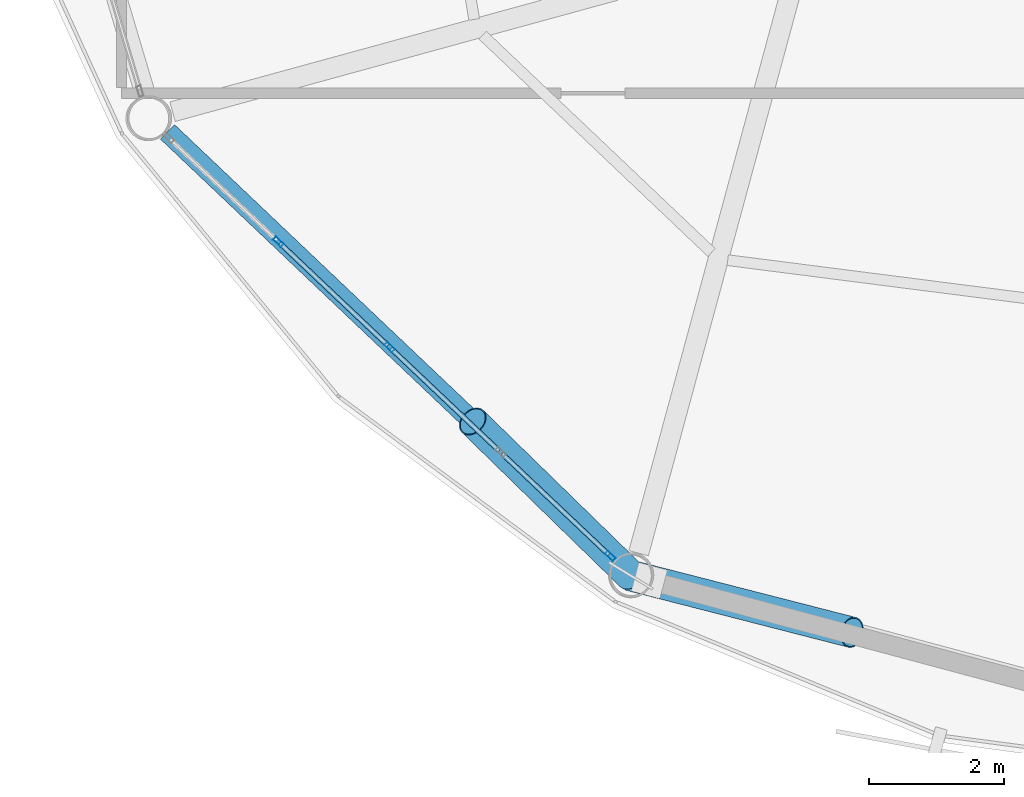
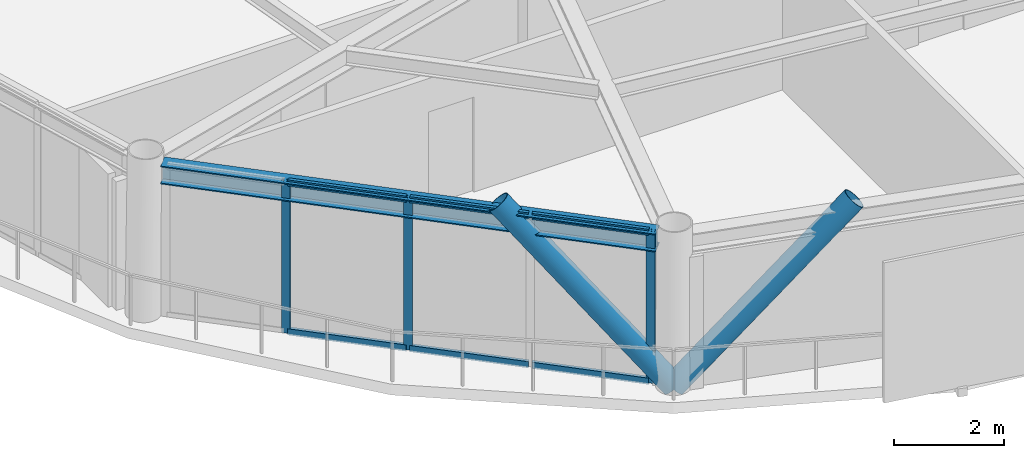
# One storey, part 2 of 29: 11 members, 1 beam, 1 element without a shape of its own.
"""IFC4 building model written with IfcOpenShell, lengths in metres."""

from ifc_helpers import new_model, si_unit, direction, frame, origin, origin_2d, place, context, subcontext, project, spatial, hollow_rectangle, hollow_circle, i_section, extrude, material, layer, layer_set, material_profile, profile_set, type_object, element, aggregate, save


model = new_model("IFC4")

# Units and contexts
model_context = context("Model", 3, precision=1e-05, world=origin(), true_north=direction((0.0, 1.0)))
body_context = subcontext(model_context, "Body", "Model", "MODEL_VIEW")
ifc_project = project(units=[si_unit("LENGTHUNIT", "METRE"), si_unit("AREAUNIT", "SQUARE_METRE"), si_unit("VOLUMEUNIT", "CUBIC_METRE"), si_unit("PLANEANGLEUNIT", "RADIAN"), si_unit("MASSUNIT", "GRAM", prefix="KILO")], contexts=[model_context])

# Site, building, storey
site_placement = place(None, origin())
site = spatial("IfcSite", under=ifc_project, at=site_placement, CompositionType="ELEMENT")
building_placement = place(site_placement, origin())
building = spatial("IfcBuilding", under=site, at=building_placement, Name="Varnakorn Sky Granary", CompositionType="ELEMENT")
storey_placement = place(building_placement, frame((0.0, 0.0, 182.39990234375)))
storey = spatial("IfcBuildingStorey", under=building, at=storey_placement, Name="L45", CompositionType="ELEMENT", Elevation=182.39990234375)

# Beam
ifc_material_1 = material(Name="Steel S355JR", Category="steel")
ifc_material_profile_1 = material_profile(ifc_material_1, i_section(OverallWidth=0.300048828125, OverallDepth=0.39990234375, WebThickness=0.013427734375, FlangeThickness=0.02392578125, at=origin_2d()), Name="HE 400 B")
ifc_profile_set_1 = profile_set([ifc_material_profile_1], Name="Steel S355JR")
beam_type = type_object("IfcBeamType", Name="BM-SPD-Z4", PredefinedType="SPANDREL", material=ifc_profile_set_1)
beam_placement = place(storey_placement, frame((-11.8193359375, -9.473388671875, 3.16015625), z_axis=(0.725435205261, -0.688290464098, 0.0), x_axis=(0.688290464098, 0.725435205261, 0.0)))
element("IfcBeam", 1, at=beam_placement, inside=storey, type_object=beam_type, Name="Perimeter Spandrel Ring Beam RB08 L45", PredefinedType="SPANDREL", context=body_context, shape_type="SweptSolid", body=[
    extrude(i_section(OverallWidth=0.300048828125, OverallDepth=0.39990234375, WebThickness=0.013427734375, FlangeThickness=0.02392578125, at=origin_2d()), origin(), (0.0, 0.0, 1.0), 9.21484375),
])

# Curtain wall, members
ifc_material_2 = material(Name="Anodised Bronze Aluminium Alloy 6063-T6", Category="aluminium")
ifc_layer = layer(ifc_material_2, 0.169921875, Name="Anodised Bronze Aluminium Alloy 6063-T6")
ifc_layer_set = layer_set([ifc_layer], Name="Anodised Bronze Aluminium Alloy 6063-T6")
curtain_wall_type = type_object("IfcCurtainWallType", Name="CW-LAB-1", PredefinedType="USERDEFINED", material=ifc_layer_set)
curtain_wall_placement = place(storey_placement, origin())
curtain_wall = element("IfcCurtainWall", 2, at=curtain_wall_placement, inside=storey, type_object=curtain_wall_type, Name="Unitised Curtain Wall CW5 CW-L45-B08", ObjectType="CURTAIN WALL", PredefinedType="USERDEFINED")
ifc_material_profile_2 = material_profile(ifc_material_2, hollow_rectangle(XDim=0.06494140625, YDim=0.159912109375, WallThickness=0.00341796875, at=origin_2d()), Name="ALU MULL 65x160")
ifc_profile_set_2 = profile_set([ifc_material_profile_2], Name="Anodised Bronze Aluminium Alloy 6063-T6")
member_type_1 = type_object("IfcMemberType", Name="CW-LAB-1-MULL", PredefinedType="MULLION", material=ifc_profile_set_2)
member_1_placement = place(storey_placement, frame((-5.24658203125, -15.771728515625, 0.0), z_axis=(0.0, 0.0, 1.0), x_axis=(-0.687692477005, -0.726002105418, 0.0)))
member_1 = element("IfcMember", 3, at=member_1_placement, type_object=member_type_1, Name="CW5 mullion 1", PredefinedType="MULLION", context=body_context, shape_type="SweptSolid", body=[
    extrude(hollow_rectangle(XDim=0.06494140625, YDim=0.159912109375, WallThickness=0.00341796875, at=origin_2d()), origin(), (0.0, 0.0, 1.0), 3.360107421875),
])
member_2_placement = place(storey_placement, frame((-8.5234375, -12.66796875, 0.0), z_axis=(0.0, 0.0, 1.0), x_axis=(-0.687692477005, -0.726002105418, 0.0)))
member_2 = element("IfcMember", 4, at=member_2_placement, type_object=member_type_1, Name="CW5 mullion 3", PredefinedType="MULLION", context=body_context, shape_type="SweptSolid", body=[
    extrude(hollow_rectangle(XDim=0.06494140625, YDim=0.159912109375, WallThickness=0.00341796875, at=origin_2d()), origin(), (0.0, 0.0, 1.0), 3.360107421875),
])
member_3_placement = place(storey_placement, frame((-10.173583984375, -11.104736328125, 0.0), z_axis=(0.0, 0.0, 1.0), x_axis=(-0.687692477005, -0.726002105418, 0.0)))
member_3 = element("IfcMember", 5, at=member_3_placement, type_object=member_type_1, Name="CW5 mullion 4", PredefinedType="MULLION", context=body_context, shape_type="SweptSolid", body=[
    extrude(hollow_rectangle(XDim=0.06494140625, YDim=0.159912109375, WallThickness=0.00341796875, at=origin_2d()), origin(), (0.0, 0.0, 1.0), 3.360107421875),
])
ifc_material_profile_3 = material_profile(ifc_material_2, hollow_rectangle(XDim=0.070068359375, YDim=0.139892578125, WallThickness=0.00341796875, at=origin_2d()), Name="ALU TRAN 70x140")
ifc_profile_set_3 = profile_set([ifc_material_profile_3], Name="Anodised Bronze Aluminium Alloy 6063-T6")
member_type_2 = type_object("IfcMemberType", Name="CW-LAB-1-TRAN", PredefinedType="USERDEFINED", material=ifc_profile_set_3)
member_4_placement = place(storey_placement, frame((-5.270263671875, -15.749267578125, 0.03515625), z_axis=(-0.725982172965, 0.687713519234, 0.0), x_axis=(-0.687713519234, -0.725982172965, 0.0)))
member_4 = element("IfcMember", 6, at=member_4_placement, type_object=member_type_2, Name="CW5 transom 1.1", ObjectType="TRANSOM", PredefinedType="USERDEFINED", context=body_context, shape_type="SweptSolid", body=[
    extrude(hollow_rectangle(XDim=0.070068359375, YDim=0.139892578125, WallThickness=0.00341796875, at=origin_2d()), origin(), (0.0, 0.0, 1.0), 2.175537109375),
])
member_5_placement = place(storey_placement, frame((-5.270263671875, -15.749267578125, 3.3251953125), z_axis=(-0.725982172965, 0.687713519234, 0.0), x_axis=(-0.687713519234, -0.725982172965, 0.0)))
member_5 = element("IfcMember", 7, at=member_5_placement, type_object=member_type_2, Name="CW5 transom 1.2", ObjectType="TRANSOM", PredefinedType="USERDEFINED", context=body_context, shape_type="SweptSolid", body=[
    extrude(hollow_rectangle(XDim=0.070068359375, YDim=0.139892578125, WallThickness=0.00341796875, at=origin_2d()), origin(), (0.0, 0.0, 1.0), 2.175537109375),
])
member_6_placement = place(storey_placement, frame((-6.896728515625, -14.20849609375, 0.03515625), z_axis=(-0.726031130468, 0.687661833746, 0.0), x_axis=(-0.687661833746, -0.726031130468, 0.0)))
member_6 = element("IfcMember", 8, at=member_6_placement, type_object=member_type_2, Name="CW5 transom 2.1", ObjectType="TRANSOM", PredefinedType="USERDEFINED", context=body_context, shape_type="SweptSolid", body=[
    extrude(hollow_rectangle(XDim=0.070068359375, YDim=0.139892578125, WallThickness=0.00341796875, at=origin_2d()), origin(), (0.0, 0.0, 1.0), 2.2080078125),
])
member_7_placement = place(storey_placement, frame((-6.896728515625, -14.20849609375, 3.3251953125), z_axis=(-0.726031130468, 0.687661833746, 0.0), x_axis=(-0.687661833746, -0.726031130468, 0.0)))
member_7 = element("IfcMember", 9, at=member_7_placement, type_object=member_type_2, Name="CW5 transom 2.2", ObjectType="TRANSOM", PredefinedType="USERDEFINED", context=body_context, shape_type="SweptSolid", body=[
    extrude(hollow_rectangle(XDim=0.070068359375, YDim=0.139892578125, WallThickness=0.00341796875, at=origin_2d()), origin(), (0.0, 0.0, 1.0), 2.2080078125),
])
member_8_placement = place(storey_placement, frame((-8.546875, -12.6455078125, 0.03515625), z_axis=(-0.726031130468, 0.687661833746, 0.0), x_axis=(-0.687661833746, -0.726031130468, 0.0)))
member_8 = element("IfcMember", 10, at=member_8_placement, type_object=member_type_2, Name="CW5 transom 3.1", ObjectType="TRANSOM", PredefinedType="USERDEFINED", context=body_context, shape_type="SweptSolid", body=[
    extrude(hollow_rectangle(XDim=0.070068359375, YDim=0.139892578125, WallThickness=0.00341796875, at=origin_2d()), origin(), (0.0, 0.0, 1.0), 2.2080078125),
])
member_9_placement = place(storey_placement, frame((-8.546875, -12.6455078125, 3.3251953125), z_axis=(-0.726031130468, 0.687661833746, 0.0), x_axis=(-0.687661833746, -0.726031130468, 0.0)))
member_9 = element("IfcMember", 11, at=member_9_placement, type_object=member_type_2, Name="CW5 transom 3.2", ObjectType="TRANSOM", PredefinedType="USERDEFINED", context=body_context, shape_type="SweptSolid", body=[
    extrude(hollow_rectangle(XDim=0.070068359375, YDim=0.139892578125, WallThickness=0.00341796875, at=origin_2d()), origin(), (0.0, 0.0, 1.0), 2.2080078125),
])
aggregate(curtain_wall, [member_1, member_2, member_3, member_4, member_5, member_6, member_7, member_8, member_9])

# Members
ifc_material_3 = material(Name="Steel S460M", Category="steel")
ifc_material_profile_4 = material_profile(ifc_material_3, hollow_circle(Radius=0.228515625, WallThickness=0.01611328125, at=origin_2d()), Name="CHS 457x16")
ifc_profile_set_4 = profile_set([ifc_material_profile_4], Name="Steel S460M")
member_type_3 = type_object("IfcMemberType", Name="MB-DIAG-T3", PredefinedType="BRACE", material=ifc_profile_set_4)
member_10_placement = place(storey_placement, frame((-4.93994140625, -16.062255859375, 0.0), z_axis=(-0.490133485557, 0.477946437799, 0.728928233046), x_axis=(-0.698149775341, -0.715951738032, 0.0)))
element("IfcMember", 12, at=member_10_placement, inside=storey, type_object=member_type_3, Name="Perimeter CHS Diagrid Brace DG08 L45", PredefinedType="BRACE", context=body_context, shape_type="SweptSolid", body=[
    extrude(hollow_circle(Radius=0.228515625, WallThickness=0.01611328125, at=origin_2d()), origin(), (0.0, 0.0, 1.0), 4.787841796875),
])
member_11_placement = place(storey_placement, frame((-4.93994140625, -16.062255859375, 0.0), z_axis=(0.675152729438, -0.173064634561, 0.71708955103), x_axis=(0.248306085269, 0.968681623661, 0.0)))
element("IfcMember", 13, at=member_11_placement, inside=storey, type_object=member_type_3, Name="Perimeter CHS Diagrid Brace DG09 L45", PredefinedType="BRACE", context=body_context, shape_type="SweptSolid", body=[
    extrude(hollow_circle(Radius=0.228515625, WallThickness=0.01611328125, at=origin_2d()), origin(), (0.0, 0.0, 1.0), 4.866943359375),
])

save(model, "model.ifc")
